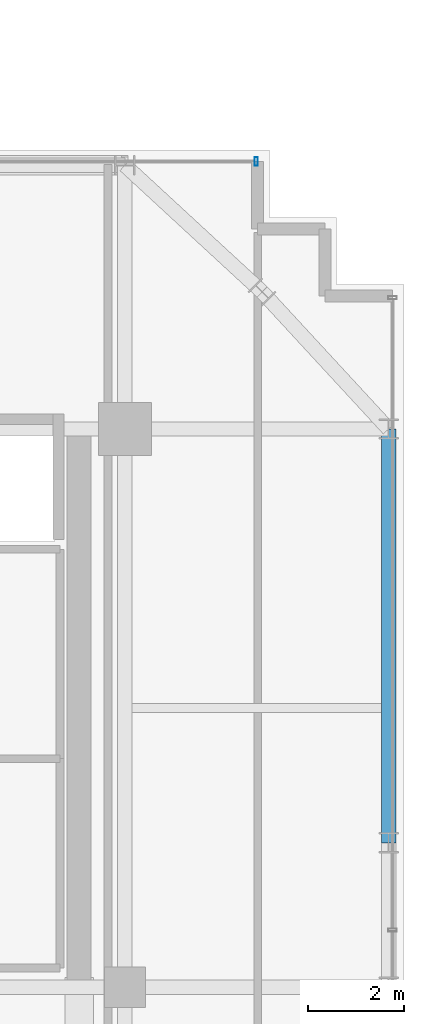
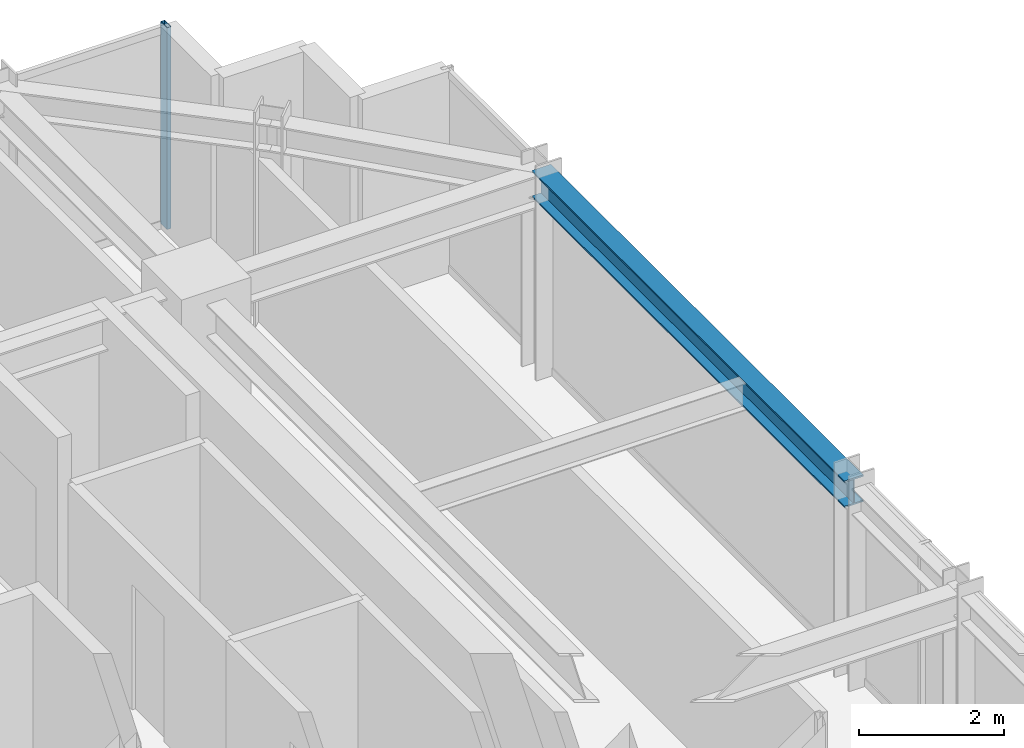
# One storey, part 23 of 32: 1 beam, 1 member, 1 element without a shape of its own.
"""IFC4 building model written with IfcOpenShell, lengths in metres."""

from ifc_helpers import new_model, si_unit, direction, frame, origin, origin_2d, place, context, subcontext, project, spatial, hollow_rectangle, i_section, extrude, source, transform, mapped, material, material_profile, profile_set, type_object, element, aggregate, save


model = new_model("IFC4")

# Units and contexts
model_context = context("Model", 3, precision=1e-05, world=origin(), true_north=direction((0.0, 1.0)))
body_context = subcontext(model_context, "Body", "Model", "MODEL_VIEW")
ifc_project = project(units=[si_unit("LENGTHUNIT", "METRE"), si_unit("AREAUNIT", "SQUARE_METRE"), si_unit("VOLUMEUNIT", "CUBIC_METRE"), si_unit("PLANEANGLEUNIT", "RADIAN"), si_unit("MASSUNIT", "GRAM", prefix="KILO")], contexts=[model_context])

# Site, building, storey
site_placement = place(None, origin())
site = spatial("IfcSite", under=ifc_project, at=site_placement, CompositionType="ELEMENT")
building_placement = place(site_placement, origin())
building = spatial("IfcBuilding", under=site, at=building_placement, Name="Nahalor Promenade Grand Hotel", CompositionType="ELEMENT")
storey_placement = place(building_placement, frame((0.0, 0.0, 152.64990234375)))
storey = spatial("IfcBuildingStorey", under=building, at=storey_placement, Name="L38", CompositionType="ELEMENT", Elevation=152.64990234375)

# Beam
ifc_material_1 = material(Name="Steel S355JR", Category="steel")
ifc_material_profile_1 = material_profile(ifc_material_1, i_section(OverallWidth=0.3, OverallDepth=0.45, WebThickness=0.014, FlangeThickness=0.026, at=origin_2d()), Name="HEB 450")
ifc_profile_set_1 = profile_set([ifc_material_profile_1], Name="Steel S355JR")
beam_type = type_object("IfcBeamType", Name="Beam-Spandrel-HEB450", PredefinedType="SPANDREL", material=ifc_profile_set_1)
shared_shape_1 = source(origin(), body_context, "Body", "SweptSolid", [
    extrude(i_section(OverallWidth=0.3, OverallDepth=0.45, WebThickness=0.014, FlangeThickness=0.026, at=origin_2d()), origin(), (0.0, 0.0, 1.0), 8.60009765625),
])
beam_placement = place(storey_placement, frame((22.47998046875, 8.39990234375, 3.1650390625), z_axis=(0.0, 1.0, 0.0), x_axis=(-1.0, 0.0, 0.0)))
element("IfcBeam", 1, at=beam_placement, inside=storey, type_object=beam_type, Name="BM-L38-SP-E-4", PredefinedType="SPANDREL", context=body_context, shape_type="MappedRepresentation", body=[
    mapped(shared_shape_1, transform((0.0, 0.0, 0.0), scale=1.0)),
])

# Curtain wall, member
ifc_material_2 = material(Name="Anodised Bronze Aluminium EN AW-6063 T6", Category="aluminium")
curtain_wall_type = type_object("IfcCurtainWallType", Name="CW2 Typical Hotel Flush Bronze Unitised Curtain Wall", PredefinedType="USERDEFINED", material=ifc_material_2)
curtain_wall_placement = place(storey_placement, origin())
curtain_wall = element("IfcCurtainWall", 2, at=curtain_wall_placement, inside=storey, type_object=curtain_wall_type, Name="L38 Curtain Wall CW-L38-N-3", ObjectType="UNITISED_CURTAIN_WALL", PredefinedType="USERDEFINED")
ifc_material_profile_2 = material_profile(ifc_material_2, hollow_rectangle(XDim=0.065, YDim=0.18, WallThickness=0.004, at=origin_2d()), Name="CWM 65x180x4")
ifc_profile_set_2 = profile_set([ifc_material_profile_2], Name="Anodised Bronze Aluminium EN AW-6063 T6")
member_type = type_object("IfcMemberType", Name="CWM2 Typical Bronze Mullion 65x180", PredefinedType="MULLION", material=ifc_profile_set_2)
shared_shape_2 = source(origin(), body_context, "Body", "SweptSolid", [
    extrude(hollow_rectangle(XDim=0.065, YDim=0.18, WallThickness=0.004, at=origin_2d()), origin(), (0.0, 0.0, 1.0), 3.39013671875),
])
member_placement = place(storey_placement, frame((19.7275390625, 22.56005859375, 0.0), z_axis=(0.0, 0.0, 1.0), x_axis=(1.0, 0.0, 0.0)))
member = element("IfcMember", 3, at=member_placement, type_object=member_type, Name="CW-L38-N-3 Mullion 2", PredefinedType="MULLION", context=body_context, shape_type="MappedRepresentation", body=[
    mapped(shared_shape_2, transform((0.0, 0.0, 0.0), scale=1.0)),
])
aggregate(curtain_wall, [member])

save(model, "model.ifc")
